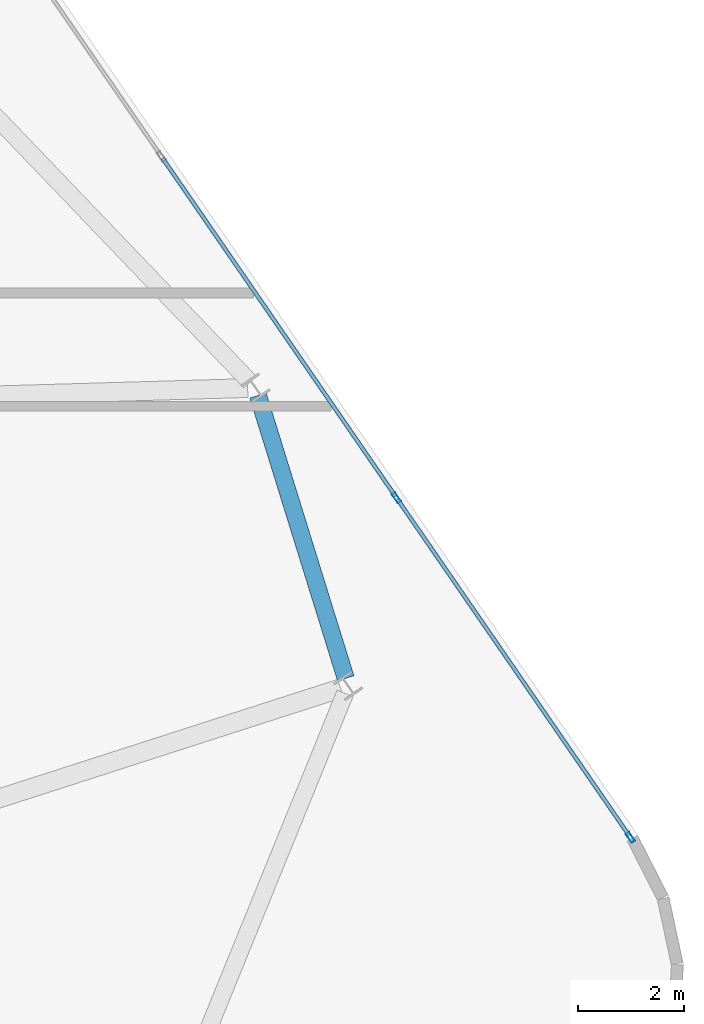
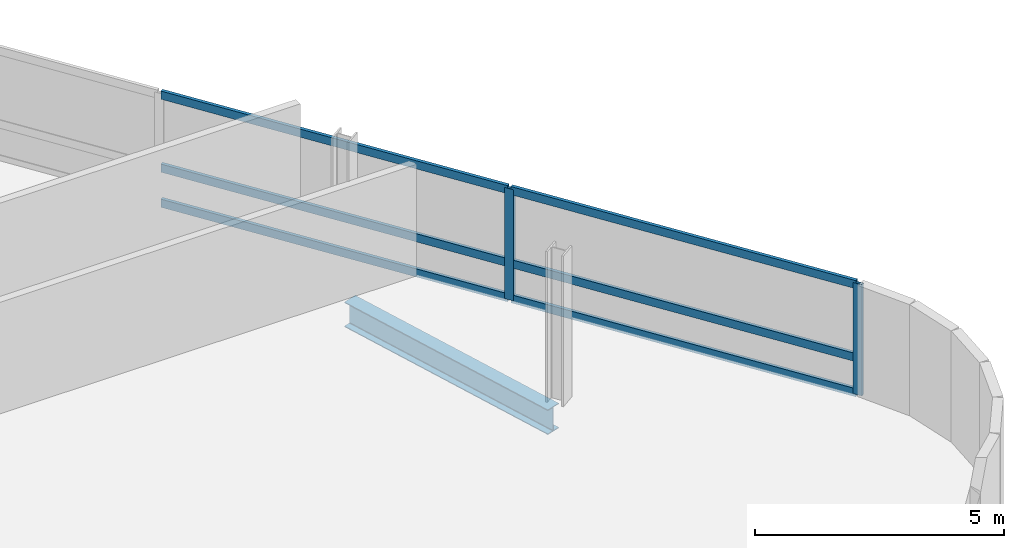
# One storey, part 11 of 21: 8 members, 1 beam, 1 element without a shape of its own.
"""IFC4 building model written with IfcOpenShell, lengths in metres."""

from ifc_helpers import new_model, si_unit, direction, frame, origin, origin_2d, place, context, subcontext, project, spatial, hollow_rectangle, i_section, extrude, material, layer, layer_set, material_profile, profile_set, type_object, element, aggregate, save


model = new_model("IFC4")

# Units and contexts
model_context = context("Model", 3, precision=1e-05, world=origin(), true_north=direction((0.0, 1.0)))
body_context = subcontext(model_context, "Body", "Model", "MODEL_VIEW")
ifc_project = project(units=[si_unit("LENGTHUNIT", "METRE"), si_unit("AREAUNIT", "SQUARE_METRE"), si_unit("VOLUMEUNIT", "CUBIC_METRE"), si_unit("PLANEANGLEUNIT", "RADIAN"), si_unit("MASSUNIT", "GRAM", prefix="KILO")], contexts=[model_context])

# Site, building, storey
site_placement = place(None, origin())
site = spatial("IfcSite", under=ifc_project, at=site_placement, CompositionType="ELEMENT")
building_placement = place(site_placement, origin())
building = spatial("IfcBuilding", under=site, at=building_placement, Name="Varnelok Gate Tower", CompositionType="ELEMENT")
storey_placement = place(building_placement, frame((0.0, 0.0, 265.60009765625)))
storey = spatial("IfcBuildingStorey", under=building, at=storey_placement, Name="L68", CompositionType="ELEMENT", Elevation=265.60009765625)

# Beam
ifc_material_1 = material(Name="Structural Steel ASTM A992 Grade 50", Category="steel")
ifc_material_profile_1 = material_profile(ifc_material_1, i_section(OverallWidth=0.323974609375, OverallDepth=0.611083984375, WebThickness=0.0126953125, FlangeThickness=0.01904296875, FilletRadius=0.01806640625, at=origin_2d()), Name="W24X104")
ifc_profile_set_1 = profile_set([ifc_material_profile_1], Name="Structural Steel ASTM A992 Grade 50")
beam_type = type_object("IfcBeamType", Name="BM-SPN-W24X104", PredefinedType="SPANDREL", material=ifc_profile_set_1)
beam_placement = place(storey_placement, frame((69.8125, 34.1748046875, -0.5556640625), z_axis=(-0.296340003452, 0.955082510757, 0.0), x_axis=(-0.955082510757, -0.296340003452, 0.0)))
element("IfcBeam", 1, at=beam_placement, inside=storey, type_object=beam_type, Name="L68 Perimeter Spandrel Beam 6", PredefinedType="SPANDREL", context=body_context, shape_type="SweptSolid", body=[
    extrude(i_section(OverallWidth=0.323974609375, OverallDepth=0.611083984375, WebThickness=0.0126953125, FlangeThickness=0.01904296875, FilletRadius=0.01806640625, at=origin_2d()), origin(), (0.0, 0.0, 1.0), 5.57666015625),
])

# Curtain wall, members
ifc_material_2 = material(Name="Anodized Aluminum Alloy 6063-T6", Category="aluminium")
ifc_layer = layer(ifc_material_2, 0.179931640625)
ifc_layer_set = layer_set([ifc_layer], Name="Anodized Aluminum Alloy 6063-T6")
curtain_wall_type = type_object("IfcCurtainWallType", Name="CW4-RESIDENCE-VISION", PredefinedType="USERDEFINED", material=ifc_layer_set)
curtain_wall_placement = place(storey_placement, origin())
curtain_wall = element("IfcCurtainWall", 2, at=curtain_wall_placement, inside=storey, type_object=curtain_wall_type, Name="L68 East End Vision Curtain Wall", ObjectType="UNITISED CURTAIN WALL", PredefinedType="USERDEFINED")
ifc_material_profile_2 = material_profile(ifc_material_2, hollow_rectangle(XDim=0.074951171875, YDim=0.199951171875, WallThickness=0.00390625, at=origin_2d()), Name="ALU200X75X4")
ifc_profile_set_2 = profile_set([ifc_material_profile_2], Name="Anodized Aluminum Alloy 6063-T6")
member_type_1 = type_object("IfcMemberType", Name="CW-MULL-200", PredefinedType="MULLION", material=ifc_profile_set_2)
member_1_placement = place(storey_placement, frame((70.768310546875, 37.57373046875, 0.0), z_axis=(0.0, 0.0, 1.0), x_axis=(0.823532290241, 0.567269395376, 0.0)))
member_1 = element("IfcMember", 3, at=member_1_placement, type_object=member_type_1, Name="CW4 mullion 4", PredefinedType="MULLION", context=body_context, shape_type="SweptSolid", body=[
    extrude(hollow_rectangle(XDim=0.074951171875, YDim=0.199951171875, WallThickness=0.00390625, at=origin_2d()), origin(), (0.0, 0.0, 1.0), 2.72998046875),
])
member_2_placement = place(storey_placement, frame((75.171630859375, 31.180908203125, 0.0), z_axis=(0.0, 0.0, 1.0), x_axis=(0.823532290241, 0.567269395376, 0.0)))
member_2 = element("IfcMember", 4, at=member_2_placement, type_object=member_type_1, Name="CW4 mullion 5", PredefinedType="MULLION", context=body_context, shape_type="SweptSolid", body=[
    extrude(hollow_rectangle(XDim=0.074951171875, YDim=0.199951171875, WallThickness=0.00390625, at=origin_2d()), origin(), (0.0, 0.0, 1.0), 2.72998046875),
])
ifc_material_profile_3 = material_profile(ifc_material_2, hollow_rectangle(XDim=0.074951171875, YDim=0.199951171875, WallThickness=0.00390625, at=origin_2d()), Name="ALU200X75X4")
ifc_profile_set_3 = profile_set([ifc_material_profile_3], Name="Anodized Aluminum Alloy 6063-T6")
member_type_2 = type_object("IfcMemberType", Name="CW-TRAN-200", PredefinedType="USERDEFINED", material=ifc_profile_set_3)
member_3_placement = place(storey_placement, frame((66.364990234375, 43.96630859375, 0.037353515625), z_axis=(0.567260941086, -0.823538113701, 0.0), x_axis=(0.823538113701, 0.567260941086, 0.0)))
member_3 = element("IfcMember", 5, at=member_3_placement, type_object=member_type_2, Name="CW4 transom 3.1", ObjectType="TRANSOM", PredefinedType="USERDEFINED", context=body_context, shape_type="SweptSolid", body=[
    extrude(hollow_rectangle(XDim=0.074951171875, YDim=0.199951171875, WallThickness=0.00390625, at=origin_2d()), origin(), (0.0, 0.0, 1.0), 7.72509765625),
])
member_4_placement = place(storey_placement, frame((66.364990234375, 43.96630859375, 0.89990234375), z_axis=(0.567260941086, -0.823538113701, 0.0), x_axis=(0.823538113701, 0.567260941086, 0.0)))
member_4 = element("IfcMember", 6, at=member_4_placement, type_object=member_type_2, Name="CW4 transom 3.2", ObjectType="TRANSOM", PredefinedType="USERDEFINED", context=body_context, shape_type="SweptSolid", body=[
    extrude(hollow_rectangle(XDim=0.074951171875, YDim=0.199951171875, WallThickness=0.00390625, at=origin_2d()), origin(), (0.0, 0.0, 1.0), 7.72509765625),
])
member_5_placement = place(storey_placement, frame((66.364990234375, 43.96630859375, 2.6923828125), z_axis=(0.567260941086, -0.823538113701, 0.0), x_axis=(0.823538113701, 0.567260941086, 0.0)))
member_5 = element("IfcMember", 7, at=member_5_placement, type_object=member_type_2, Name="CW4 transom 3.3", ObjectType="TRANSOM", PredefinedType="USERDEFINED", context=body_context, shape_type="SweptSolid", body=[
    extrude(hollow_rectangle(XDim=0.074951171875, YDim=0.199951171875, WallThickness=0.00390625, at=origin_2d()), origin(), (0.0, 0.0, 1.0), 7.72509765625),
])
member_6_placement = place(storey_placement, frame((70.78955078125, 37.542724609375, 0.037353515625), z_axis=(0.567271254331, -0.823531009744, 0.0), x_axis=(0.823531009744, 0.567271254331, 0.0)))
member_6 = element("IfcMember", 8, at=member_6_placement, type_object=member_type_2, Name="CW4 transom 4.1", ObjectType="TRANSOM", PredefinedType="USERDEFINED", context=body_context, shape_type="SweptSolid", body=[
    extrude(hollow_rectangle(XDim=0.074951171875, YDim=0.199951171875, WallThickness=0.00390625, at=origin_2d()), origin(), (0.0, 0.0, 1.0), 7.6875),
])
member_7_placement = place(storey_placement, frame((70.78955078125, 37.542724609375, 0.89990234375), z_axis=(0.567271254331, -0.823531009744, 0.0), x_axis=(0.823531009744, 0.567271254331, 0.0)))
member_7 = element("IfcMember", 9, at=member_7_placement, type_object=member_type_2, Name="CW4 transom 4.2", ObjectType="TRANSOM", PredefinedType="USERDEFINED", context=body_context, shape_type="SweptSolid", body=[
    extrude(hollow_rectangle(XDim=0.074951171875, YDim=0.199951171875, WallThickness=0.00390625, at=origin_2d()), origin(), (0.0, 0.0, 1.0), 7.6875),
])
member_8_placement = place(storey_placement, frame((70.78955078125, 37.542724609375, 2.6923828125), z_axis=(0.567271254331, -0.823531009744, 0.0), x_axis=(0.823531009744, 0.567271254331, 0.0)))
member_8 = element("IfcMember", 10, at=member_8_placement, type_object=member_type_2, Name="CW4 transom 4.3", ObjectType="TRANSOM", PredefinedType="USERDEFINED", context=body_context, shape_type="SweptSolid", body=[
    extrude(hollow_rectangle(XDim=0.074951171875, YDim=0.199951171875, WallThickness=0.00390625, at=origin_2d()), origin(), (0.0, 0.0, 1.0), 7.6875),
])
aggregate(curtain_wall, [member_1, member_2, member_3, member_4, member_5, member_6, member_7, member_8])

save(model, "model.ifc")
